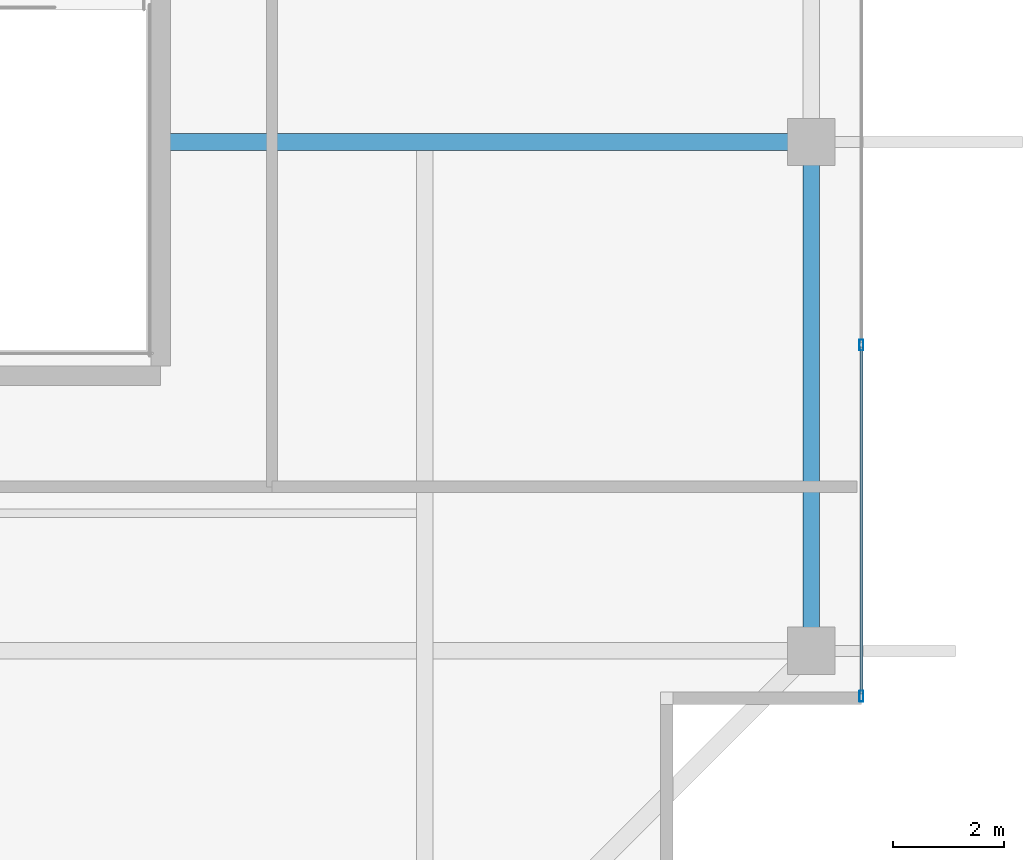
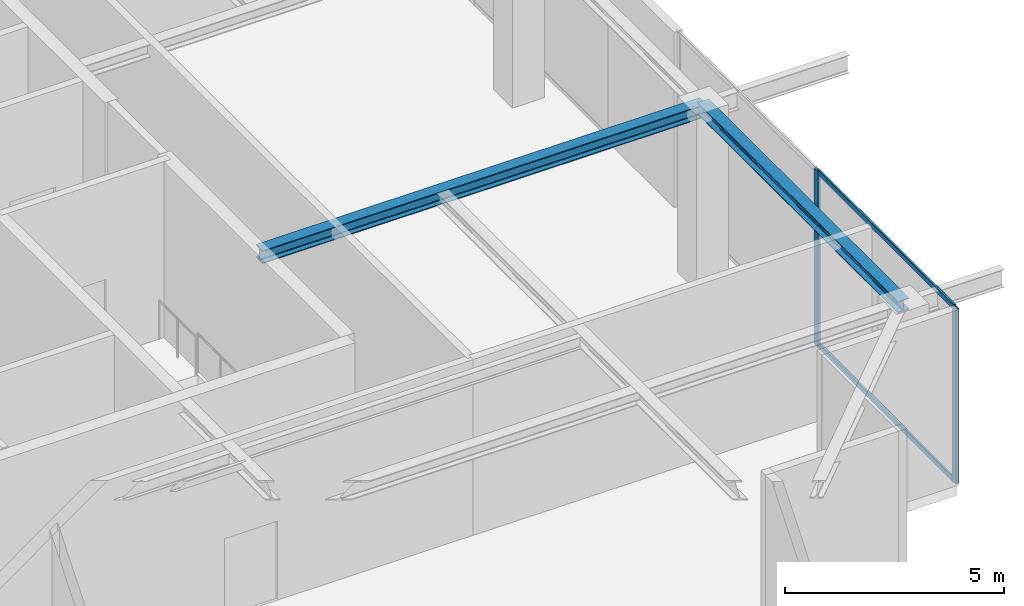
# One storey, part 13 of 27: 4 members, 2 beams, 1 element without a shape of its own.
"""IFC4 building model written with IfcOpenShell, lengths in metres."""

from ifc_helpers import new_model, si_unit, direction, frame, origin, origin_2d, place, context, subcontext, project, spatial, hollow_rectangle, i_section, extrude, source, transform, mapped, material, layer, layer_set, material_profile, profile_set, type_object, element, aggregate, save


model = new_model("IFC4")

# Units and contexts
model_context = context("Model", 3, precision=1e-05, world=origin(), true_north=direction((0.0, 1.0)))
body_context = subcontext(model_context, "Body", "Model", "MODEL_VIEW")
ifc_project = project(units=[si_unit("LENGTHUNIT", "METRE"), si_unit("AREAUNIT", "SQUARE_METRE"), si_unit("VOLUMEUNIT", "CUBIC_METRE"), si_unit("PLANEANGLEUNIT", "RADIAN"), si_unit("MASSUNIT", "GRAM", prefix="KILO")], contexts=[model_context])

# Site, building, storey
site_placement = place(None, origin())
site = spatial("IfcSite", under=ifc_project, at=site_placement, CompositionType="ELEMENT")
building_placement = place(site_placement, origin())
building = spatial("IfcBuilding", under=site, at=building_placement, Name="Serunith Strait Residences", CompositionType="ELEMENT")
storey_placement = place(building_placement, frame((0.0, 0.0, 365.75)))
storey = spatial("IfcBuildingStorey", under=building, at=storey_placement, Name="L89", CompositionType="ELEMENT", Elevation=365.75)

# Beams
ifc_material_1 = material(Name="Steel S355J2", Category="steel")
ifc_material_profile_1 = material_profile(ifc_material_1, i_section(OverallWidth=0.300048828125, OverallDepth=0.360107421875, WebThickness=0.012451171875, FlangeThickness=0.0224609375, FilletRadius=0.027099609375, at=origin_2d()), Name="HEB 360")
ifc_profile_set_1 = profile_set([ifc_material_profile_1], Name="Steel S355J2")
beam_type_1 = type_object("IfcBeamType", Name="BM-HEB360", PredefinedType="BEAM", material=ifc_profile_set_1)
shared_shape_1 = source(origin(), body_context, "Body", "SweptSolid", [
    extrude(i_section(OverallWidth=0.300048828125, OverallDepth=0.360107421875, WebThickness=0.012451171875, FlangeThickness=0.0224609375, FilletRadius=0.027099609375, at=origin_2d()), origin(), (0.0, 0.0, 1.0), 11.7001953125),
])
beam_1_placement = place(storey_placement, frame((41.39990234375, 21.0, 4.717041015625), z_axis=(1.0, 0.0, 0.0), x_axis=(0.0, 1.0, 0.0)))
element("IfcBeam", 1, at=beam_1_placement, inside=storey, type_object=beam_type_1, Name="L89 Primary Floor Girder TC-E2", PredefinedType="BEAM", context=body_context, shape_type="MappedRepresentation", body=[
    mapped(shared_shape_1, transform((0.0, 0.0, 0.0), scale=1.0)),
])
ifc_material_profile_2 = material_profile(ifc_material_1, i_section(OverallWidth=0.300048828125, OverallDepth=0.320068359375, WebThickness=0.011474609375, FlangeThickness=0.0205078125, FilletRadius=0.027099609375, at=origin_2d()), Name="HEB 320")
ifc_profile_set_2 = profile_set([ifc_material_profile_2], Name="Steel S355J2")
beam_type_2 = type_object("IfcBeamType", Name="BM-HEB320", PredefinedType="BEAM", material=ifc_profile_set_2)
shared_shape_2 = source(origin(), body_context, "Body", "SweptSolid", [
    extrude(i_section(OverallWidth=0.300048828125, OverallDepth=0.320068359375, WebThickness=0.011474609375, FlangeThickness=0.0205078125, FilletRadius=0.027099609375, at=origin_2d()), origin(), (0.0, 0.0, 1.0), 9.14990234375),
])
beam_2_placement = place(storey_placement, frame((53.10009765625, 11.85009765625, 4.737060546875), z_axis=(0.0, 1.0, 0.0), x_axis=(-1.0, 0.0, 0.0)))
element("IfcBeam", 2, at=beam_2_placement, inside=storey, type_object=beam_type_2, Name="L89 Perimeter Ring Beam 05", PredefinedType="BEAM", context=body_context, shape_type="MappedRepresentation", body=[
    mapped(shared_shape_2, transform((0.0, 0.0, 0.0), scale=1.0)),
])

# Curtain wall, members
ifc_material_2 = material(Name="Pale-Silver Anodised Aluminium", Category="aluminium")
ifc_layer = layer(ifc_material_2, 0.199951171875, Name="Pale-Silver Anodised Aluminium")
ifc_layer_set = layer_set([ifc_layer], Name="Pale-Silver Anodised Aluminium")
curtain_wall_type = type_object("IfcCurtainWallType", Name="CW-SYS7", PredefinedType="NOTDEFINED", material=ifc_layer_set)
curtain_wall_placement = place(storey_placement, origin())
curtain_wall = element("IfcCurtainWall", 3, at=curtain_wall_placement, inside=storey, type_object=curtain_wall_type, Name="L89 E Unitised Fritted Curtain Wall", PredefinedType="NOTDEFINED")
ifc_material_profile_3 = material_profile(ifc_material_2, hollow_rectangle(XDim=0.072021484375, YDim=0.195068359375, WallThickness=0.00390625, InnerFilletRadius=0.006103515625, OuterFilletRadius=0.010009765625, at=origin_2d()), Name="ALU 195x72x4")
ifc_profile_set_3 = profile_set([ifc_material_profile_3], Name="Pale-Silver Anodised Aluminium")
member_type_1 = type_object("IfcMemberType", Name="CW-SYS7-MULL", PredefinedType="MULLION", material=ifc_profile_set_3)
shared_shape_3 = source(origin(), body_context, "Body", "SweptSolid", [
    extrude(hollow_rectangle(XDim=0.072021484375, YDim=0.195068359375, WallThickness=0.00390625, InnerFilletRadius=0.006103515625, OuterFilletRadius=0.010009765625, at=origin_2d()), origin(), (0.0, 0.0, 1.0), 4.885009765625),
])
member_1_placement = place(storey_placement, frame((54.0, 11.035888671875, 0.0), z_axis=(0.0, 0.0, 1.0), x_axis=(-1.0, 0.0, 0.0)))
member_1 = element("IfcMember", 4, at=member_1_placement, type_object=member_type_1, Name="CW-7 mullion 1", PredefinedType="MULLION", context=body_context, shape_type="MappedRepresentation", body=[
    mapped(shared_shape_3, transform((0.0, 0.0, 0.0), scale=1.0)),
])
member_2_placement = place(storey_placement, frame((54.0, 17.35009765625, 0.0), z_axis=(0.0, 0.0, 1.0), x_axis=(-1.0, 0.0, 0.0)))
member_2 = element("IfcMember", 5, at=member_2_placement, type_object=member_type_1, Name="CW-7 mullion 2", PredefinedType="MULLION", context=body_context, shape_type="MappedRepresentation", body=[
    mapped(shared_shape_3, transform((0.0, 0.0, 0.0), scale=1.0)),
])
ifc_material_profile_4 = material_profile(ifc_material_2, hollow_rectangle(XDim=0.06005859375, YDim=0.139892578125, WallThickness=0.00341796875, InnerFilletRadius=0.00537109375, OuterFilletRadius=0.0087890625, at=origin_2d()), Name="ALU 140x60x3.5")
ifc_profile_set_4 = profile_set([ifc_material_profile_4], Name="Pale-Silver Anodised Aluminium")
member_type_2 = type_object("IfcMemberType", Name="CW-SYS7-TRAN", PredefinedType="USERDEFINED", material=ifc_profile_set_4)
shared_shape_4 = source(origin(), body_context, "Body", "SweptSolid", [
    extrude(hollow_rectangle(XDim=0.06005859375, YDim=0.139892578125, WallThickness=0.00341796875, InnerFilletRadius=0.00537109375, OuterFilletRadius=0.0087890625, at=origin_2d()), origin(), (0.0, 0.0, 1.0), 6.241943359375),
])
member_3_placement = place(storey_placement, frame((54.0, 11.072021484375, 0.030029296875), z_axis=(0.0, 1.0, 0.0), x_axis=(-1.0, 0.0, 0.0)))
member_3 = element("IfcMember", 6, at=member_3_placement, type_object=member_type_2, Name="CW-7 transom 1.1", ObjectType="TRANSOM", PredefinedType="USERDEFINED", context=body_context, shape_type="MappedRepresentation", body=[
    mapped(shared_shape_4, transform((0.0, 0.0, 0.0), scale=1.0)),
])
member_4_placement = place(storey_placement, frame((54.0, 11.072021484375, 4.85498046875), z_axis=(0.0, 1.0, 0.0), x_axis=(-1.0, 0.0, 0.0)))
member_4 = element("IfcMember", 7, at=member_4_placement, type_object=member_type_2, Name="CW-7 transom 1.2", ObjectType="TRANSOM", PredefinedType="USERDEFINED", context=body_context, shape_type="MappedRepresentation", body=[
    mapped(shared_shape_4, transform((0.0, 0.0, 0.0), scale=1.0)),
])
aggregate(curtain_wall, [member_1, member_2, member_3, member_4])

save(model, "model.ifc")
